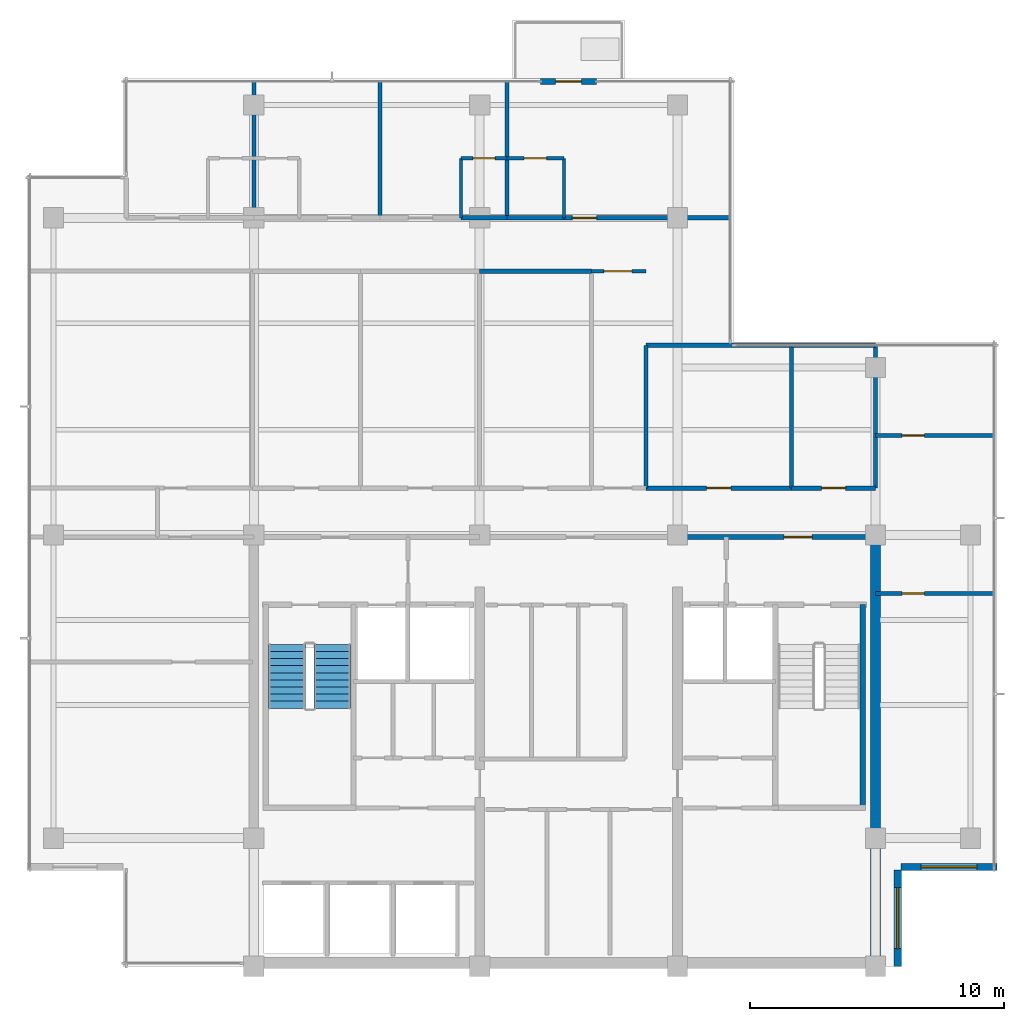
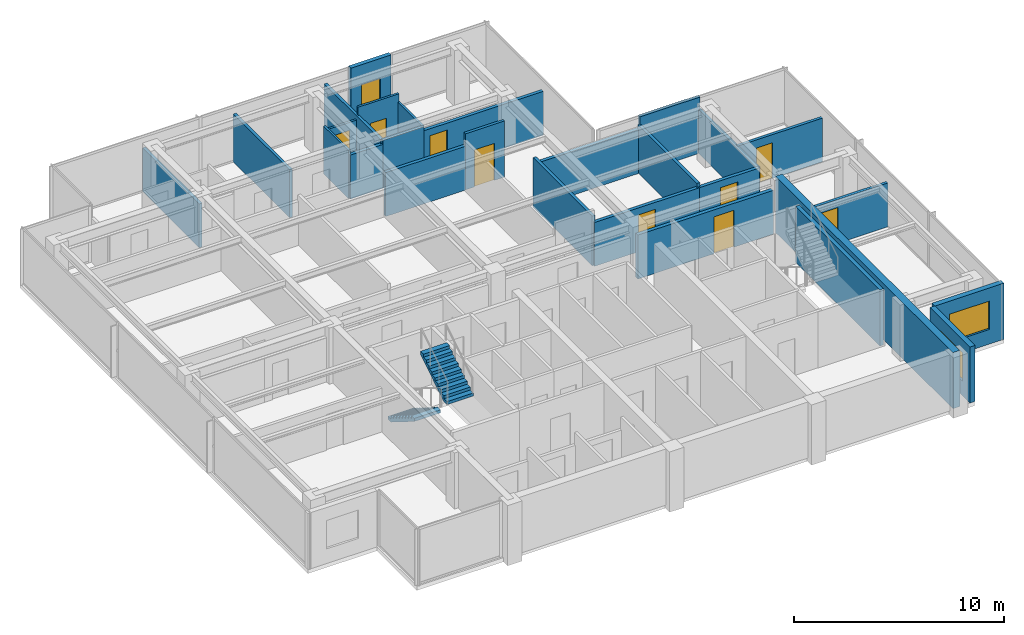
# One storey, part 8 of 12: 27 walls, 10 doors, 2 stair flights, 2 windows, 12 openings, 1 element without a shape of its own.
"""IFC4 building model written with IfcOpenShell, lengths in metres."""

from ifc_helpers import new_model, si_unit, direction, frame, frame_2d, origin, place, context, subcontext, project, spatial, polyline, rectangle, outline, extrude, material, layer, layer_set, type_object, element, fill, aggregate, save


model = new_model("IFC4")

# Units and contexts
model_context = context("Model", 3, precision=1e-05, world=origin(), true_north=direction((0.0, 1.0)))
body_context = subcontext(model_context, "Body", "Model", "MODEL_VIEW")
ifc_project = project(units=[si_unit("LENGTHUNIT", "METRE"), si_unit("AREAUNIT", "SQUARE_METRE"), si_unit("VOLUMEUNIT", "CUBIC_METRE"), si_unit("PLANEANGLEUNIT", "RADIAN"), si_unit("MASSUNIT", "GRAM", prefix="KILO")], contexts=[model_context])

# Site, building, storey
site_placement = place(None, origin())
site = spatial("IfcSite", under=ifc_project, at=site_placement, CompositionType="ELEMENT")
building_placement = place(site_placement, origin())
building = spatial("IfcBuilding", under=site, at=building_placement, Name="Qalmaran Belvedere Hotel", CompositionType="ELEMENT")
storey_placement = place(building_placement, frame((0.0, 0.0, 252.89990234375)))
storey = spatial("IfcBuildingStorey", under=building, at=storey_placement, Name="L65", CompositionType="ELEMENT", Elevation=252.89990234375)

# Wall, opening, door
ifc_material_1 = material(Name="Anodised Bronze Cladding")
ifc_layer_1 = layer(ifc_material_1, 0.22509765625, Name="Anodised Bronze Cladding")
ifc_layer_set_1 = layer_set([ifc_layer_1], Name="Anodised Bronze Cladding")
wall_type_1 = type_object("IfcWallType", Name="WL-BAL-PORT-225", PredefinedType="SOLIDWALL", material=ifc_layer_set_1)
wall_1_placement = place(storey_placement, frame((31.60009765625, 38.3798828125, 0.0), z_axis=(0.0, 0.0, 1.0), x_axis=(1.0, 0.0, 0.0)))
wall_1 = element("IfcWall", 1, at=wall_1_placement, inside=storey, type_object=wall_type_1, Name="L65 Tree Balcony Door Portal", PredefinedType="SOLIDWALL", context=body_context, shape_type="SweptSolid", body=[
    extrude(rectangle(XDim=2.199951171875, YDim=0.22509765625, at=frame_2d((1.10009765625, 0.0))), origin(), (0.0, 0.0, 1.0), 3.260009765625),
])
opening_1_placement = place(wall_1_placement, frame((0.590087890625, 0.0, 0.0)))
opening_1 = element("IfcOpeningElement", 2, at=opening_1_placement, cuts=wall_1, Name="Opening BL-102", PredefinedType="OPENING", context=body_context, shape_type="SweptSolid", body=[
    extrude(rectangle(XDim=1.02001953125, YDim=2.10009765625, at=frame_2d((0.510009765625, 1.050048828125))), frame((0.0, 0.12255859375, 0.0), z_axis=(0.0, -1.0, 0.0), x_axis=(1.0, 0.0, 0.0)), (0.0, 0.0, 1.0), 0.2451171875),
])
ifc_material_2 = material(Name="Anodised Bronze Aluminium", Category="aluminium")
door_type_1 = type_object("IfcDoorType", Name="DR-BAL-1020X2100", OperationType="NOTDEFINED", PredefinedType="DOOR", material=ifc_material_2)
door_1_placement = place(opening_1_placement, origin())
door_1 = element("IfcDoor", 3, at=door_1_placement, inside=storey, type_object=door_type_1, Name="L65 Planted Tree Balcony Door", OperationType="SINGLE_SWING_RIGHT", OverallHeight=2.10009765625, OverallWidth=1.02001953125, PredefinedType="DOOR", context=body_context, shape_type="SweptSolid", body=[
    extrude(rectangle(XDim=1.02001953125, YDim=2.10009765625, at=frame_2d((0.510009765625, 1.050048828125))), frame((0.0, 0.02490234375, 0.0), z_axis=(0.0, -1.0, 0.0), x_axis=(1.0, 0.0, 0.0)), (0.0, 0.0, 1.0), 0.050048828125),
])
fill(opening_1, door_1)

# Wall
ifc_material_3 = material(Name="Concrete C50/60", Category="concrete")
ifc_layer_2 = layer(ifc_material_3, 0.3798828125, Name="Concrete C50/60")
ifc_layer_set_2 = layer_set([ifc_layer_2], Name="Concrete C50/60")
wall_type_2 = type_object("IfcWallType", Name="WL-CORE-380-C50", PredefinedType="SHEAR", material=ifc_layer_set_2)
wall_2_placement = place(storey_placement, frame((44.800048828125, 3.5, 0.0), z_axis=(0.0, 0.0, 1.0), x_axis=(0.0, 1.0, 0.0)))
element("IfcWall", 4, at=wall_2_placement, inside=storey, type_object=wall_type_2, Name="L65 East Core Shear Wall", PredefinedType="SHEAR", context=body_context, shape_type="SweptSolid", body=[
    extrude(rectangle(XDim=16.89990234375, YDim=0.3798828125, at=frame_2d((8.449951171875, 0.0))), origin(), (0.0, 0.0, 1.0), 3.260009765625),
])

# Wall, opening, window
ifc_layer_3 = layer(ifc_material_1, 0.280029296875, Name="Anodised Bronze Cladding")
ifc_layer_set_3 = layer_set([ifc_layer_3], Name="Anodised Bronze Cladding")
wall_type_3 = type_object("IfcWallType", Name="WL-EXT-BRNZ-280", PredefinedType="SOLIDWALL", material=ifc_layer_set_3)
wall_3_placement = place(storey_placement, frame((45.679931640625, 3.5, 0.0), z_axis=(0.0, 0.0, 1.0), x_axis=(0.0, 1.0, 0.0)))
wall_3 = element("IfcWall", 5, at=wall_3_placement, inside=storey, type_object=wall_type_3, Name="L65 Corner Notch Wall 1", PredefinedType="SOLIDWALL", context=body_context, shape_type="SweptSolid", body=[
    extrude(rectangle(XDim=3.800048828125, YDim=0.280029296875, at=frame_2d((1.89990234375, 0.0))), origin(), (0.0, 0.0, 1.0), 3.260009765625),
])
opening_2_placement = place(wall_3_placement, frame((0.699951171875, 0.0, 0.85009765625)))
opening_2 = element("IfcOpeningElement", 6, at=opening_2_placement, cuts=wall_3, Name="Opening W-N24", PredefinedType="OPENING", context=body_context, shape_type="SweptSolid", body=[
    extrude(rectangle(XDim=2.39990234375, YDim=1.64990234375, at=frame_2d((1.199951171875, 0.824951171875))), frame((0.0, 0.14990234375, 0.0), z_axis=(0.0, -1.0, 0.0), x_axis=(1.0, 0.0, 0.0)), (0.0, 0.0, 1.0), 0.300048828125),
])
ifc_material_4 = material(Name="Solar-Control Double Glazing", Category="glass")
window_type_1 = type_object("IfcWindowType", Name="WN-NTC-2400X1650", PartitioningType="SINGLE_PANEL", PredefinedType="WINDOW", material=ifc_material_4)
window_1_placement = place(opening_2_placement, origin())
window_1 = element("IfcWindow", 7, at=window_1_placement, inside=storey, type_object=window_type_1, Name="L65 Corner Notch Window 1", OverallHeight=1.64990234375, OverallWidth=2.39990234375, PartitioningType="SINGLE_PANEL", PredefinedType="WINDOW", context=body_context, shape_type="SweptSolid", body=[
    extrude(rectangle(XDim=2.39990234375, YDim=1.64990234375, at=frame_2d((1.199951171875, 0.824951171875))), frame((0.0, 0.030029296875, 0.0), z_axis=(0.0, -1.0, 0.0), x_axis=(1.0, 0.0, 0.0)), (0.0, 0.0, 1.0), 0.06005859375),
])
fill(opening_2, window_1)

wall_4_placement = place(storey_placement, frame((45.800048828125, 7.419921875, 0.0), z_axis=(0.0, 0.0, 1.0), x_axis=(1.0, 0.0, 0.0)))
wall_4 = element("IfcWall", 8, at=wall_4_placement, inside=storey, type_object=wall_type_3, Name="L65 Corner Notch Wall 2", PredefinedType="SOLIDWALL", context=body_context, shape_type="SweptSolid", body=[
    extrude(rectangle(XDim=3.800048828125, YDim=0.280029296875, at=frame_2d((1.89990234375, 0.0))), origin(), (0.0, 0.0, 1.0), 3.260009765625),
])
opening_3_placement = place(wall_4_placement, frame((0.800048828125, 0.0, 0.85009765625)))
opening_3 = element("IfcOpeningElement", 9, at=opening_3_placement, cuts=wall_4, Name="Opening W-N22", PredefinedType="OPENING", context=body_context, shape_type="SweptSolid", body=[
    extrude(rectangle(XDim=2.199951171875, YDim=1.64990234375, at=frame_2d((1.10009765625, 0.824951171875))), frame((0.0, 0.14990234375, 0.0), z_axis=(0.0, -1.0, 0.0), x_axis=(1.0, 0.0, 0.0)), (0.0, 0.0, 1.0), 0.300048828125),
])
window_type_2 = type_object("IfcWindowType", Name="WN-NTC-2200X1650", PartitioningType="SINGLE_PANEL", PredefinedType="WINDOW", material=ifc_material_4)
window_2_placement = place(opening_3_placement, origin())
window_2 = element("IfcWindow", 10, at=window_2_placement, inside=storey, type_object=window_type_2, Name="L65 Corner Notch Window 2", OverallHeight=1.64990234375, OverallWidth=2.199951171875, PartitioningType="SINGLE_PANEL", PredefinedType="WINDOW", context=body_context, shape_type="SweptSolid", body=[
    extrude(rectangle(XDim=2.199951171875, YDim=1.64990234375, at=frame_2d((1.10009765625, 0.824951171875))), frame((0.0, 0.030029296875, 0.0), z_axis=(0.0, -1.0, 0.0), x_axis=(1.0, 0.0, 0.0)), (0.0, 0.0, 1.0), 0.06005859375),
])
fill(opening_3, window_2)

# Wall, opening, door
ifc_material_5 = material(Name="Moisture-Resistant Gypsum")
ifc_layer_4 = layer(ifc_material_5, 0.1201171875, Name="Moisture-Resistant Gypsum")
ifc_layer_set_4 = layer_set([ifc_layer_4], Name="Moisture-Resistant Gypsum")
wall_type_4 = type_object("IfcWallType", Name="WL-INT-120-BATH", PredefinedType="PARTITIONING", material=ifc_layer_set_4)
wall_5_placement = place(storey_placement, frame((28.47021484375, 35.35009765625, 0.0), z_axis=(0.0, 0.0, 1.0), x_axis=(1.0, 0.0, 0.0)))
wall_5 = element("IfcWall", 11, at=wall_5_placement, inside=storey, type_object=wall_type_4, Name="L65 Partition WL-L65-NBN02", PredefinedType="PARTITIONING", context=body_context, shape_type="SweptSolid", body=[
    extrude(rectangle(XDim=1.800048828125, YDim=0.1201171875, at=frame_2d((0.89990234375, 0.0))), origin(), (0.0, 0.0, 1.0), 2.550048828125),
])
opening_4_placement = place(wall_5_placement, frame((1.33984375, 0.0, 0.0), z_axis=(0.0, 0.0, 1.0), x_axis=(-1.0, 0.0, 0.0)))
opening_4 = element("IfcOpeningElement", 12, at=opening_4_placement, cuts=wall_5, Name="Opening D-BATH", PredefinedType="OPENING", context=body_context, shape_type="SweptSolid", body=[
    extrude(rectangle(XDim=0.8798828125, YDim=2.080078125, at=frame_2d((0.43994140625, 1.0400390625))), frame((0.0, 0.070068359375, 0.0), z_axis=(0.0, -1.0, 0.0), x_axis=(1.0, 0.0, 0.0)), (0.0, 0.0, 1.0), 0.14013671875),
])
ifc_material_6 = material(Name="Engineered Oak Veneer")
door_type_2 = type_object("IfcDoorType", Name="DR-INT-BATH-880X2080", OperationType="NOTDEFINED", PredefinedType="DOOR", material=ifc_material_6)
door_2_placement = place(opening_4_placement, origin())
door_2 = element("IfcDoor", 13, at=door_2_placement, inside=storey, type_object=door_type_2, Name="L65 Ensuite Bathroom Door N03", OperationType="SINGLE_SWING_RIGHT", OverallHeight=2.080078125, OverallWidth=0.8798828125, PredefinedType="DOOR", context=body_context, shape_type="SweptSolid", body=[
    extrude(rectangle(XDim=0.8798828125, YDim=2.080078125, at=frame_2d((0.43994140625, 1.0400390625))), frame((0.0, 0.02490234375, 0.0), z_axis=(0.0, -1.0, 0.0), x_axis=(1.0, 0.0, 0.0)), (0.0, 0.0, 1.0), 0.050048828125),
])
fill(opening_4, door_2)

# Wall
wall_6_placement = place(storey_placement, frame((28.47021484375, 33.0, 0.0), z_axis=(0.0, 0.0, 1.0), x_axis=(0.0, 1.0, 0.0)))
element("IfcWall", 14, at=wall_6_placement, inside=storey, type_object=wall_type_4, Name="L65 Partition WL-L65-NBS02", PredefinedType="PARTITIONING", context=body_context, shape_type="SweptSolid", body=[
    extrude(rectangle(XDim=2.35009765625, YDim=0.1201171875, at=frame_2d((1.175048828125, 0.0))), origin(), (0.0, 0.0, 1.0), 2.781982421875),
])

# Wall, opening, door
wall_7_placement = place(storey_placement, frame((30.270263671875, 35.35009765625, 0.0), z_axis=(0.0, 0.0, 1.0), x_axis=(1.0, 0.0, 0.0)))
wall_7 = element("IfcWall", 15, at=wall_7_placement, inside=storey, type_object=wall_type_4, Name="L65 Partition WL-L65-NBN03", PredefinedType="PARTITIONING", context=body_context, shape_type="SweptSolid", body=[
    extrude(rectangle(XDim=2.25, YDim=0.1201171875, at=frame_2d((1.125, 0.0))), origin(), (0.0, 0.0, 1.0), 3.260009765625),
])
opening_5_placement = place(wall_7_placement, frame((1.56494140625, 0.0, 0.0), z_axis=(0.0, 0.0, 1.0), x_axis=(-1.0, 0.0, 0.0)))
opening_5 = element("IfcOpeningElement", 16, at=opening_5_placement, cuts=wall_7, Name="Opening D-BATH", PredefinedType="OPENING", context=body_context, shape_type="SweptSolid", body=[
    extrude(rectangle(XDim=0.8798828125, YDim=2.080078125, at=frame_2d((0.43994140625, 1.0400390625))), frame((0.0, 0.070068359375, 0.0), z_axis=(0.0, -1.0, 0.0), x_axis=(1.0, 0.0, 0.0)), (0.0, 0.0, 1.0), 0.14013671875),
])
door_3_placement = place(opening_5_placement, origin())
door_3 = element("IfcDoor", 17, at=door_3_placement, inside=storey, type_object=door_type_2, Name="L65 Ensuite Bathroom Door N04", OperationType="SINGLE_SWING_RIGHT", OverallHeight=2.080078125, OverallWidth=0.8798828125, PredefinedType="DOOR", context=body_context, shape_type="SweptSolid", body=[
    extrude(rectangle(XDim=0.8798828125, YDim=2.080078125, at=frame_2d((0.43994140625, 1.0400390625))), frame((0.0, 0.02490234375, 0.0), z_axis=(0.0, -1.0, 0.0), x_axis=(1.0, 0.0, 0.0)), (0.0, 0.0, 1.0), 0.050048828125),
])
fill(opening_5, door_3)

# Wall
wall_8_placement = place(storey_placement, frame((32.520263671875, 33.0, 0.0), z_axis=(0.0, 0.0, 1.0), x_axis=(0.0, 1.0, 0.0)))
element("IfcWall", 18, at=wall_8_placement, inside=storey, type_object=wall_type_4, Name="L65 Partition WL-L65-NBS03", PredefinedType="PARTITIONING", context=body_context, shape_type="SweptSolid", body=[
    extrude(rectangle(XDim=2.35009765625, YDim=0.1201171875, at=frame_2d((1.175048828125, 0.0))), origin(), (0.0, 0.0, 1.0), 2.781982421875),
])

# Wall, opening, door
ifc_material_7 = material(Name="Gypsum Stud Partition")
ifc_layer_5 = layer(ifc_material_7, 0.14990234375, Name="Gypsum Stud Partition")
ifc_layer_set_5 = layer_set([ifc_layer_5], Name="Gypsum Stud Partition")
wall_type_5 = type_object("IfcWallType", Name="WL-INT-150-EI60", PredefinedType="PARTITIONING", material=ifc_layer_set_5)
wall_9_placement = place(storey_placement, frame((33.60009765625, 30.89990234375, 0.0), z_axis=(0.0, 0.0, 1.0), x_axis=(1.0, 0.0, 0.0)))
wall_9 = element("IfcWall", 19, at=wall_9_placement, inside=storey, type_object=wall_type_5, Name="L65 Partition WL-L65-XCLN", PredefinedType="PARTITIONING", context=body_context, shape_type="SweptSolid", body=[
    extrude(rectangle(XDim=2.14990234375, YDim=0.14990234375, at=frame_2d((1.074951171875, 0.0))), origin(), (0.0, 0.0, 1.0), 3.260009765625),
])
opening_6_placement = place(wall_9_placement, frame((0.5, 0.0, 0.0)))
opening_6 = element("IfcOpeningElement", 20, at=opening_6_placement, cuts=wall_9, Name="Opening FD90", PredefinedType="OPENING", context=body_context, shape_type="SweptSolid", body=[
    extrude(rectangle(XDim=1.10009765625, YDim=2.14990234375, at=frame_2d((0.550048828125, 1.074951171875))), frame((0.0, 0.0849609375, 0.0), z_axis=(0.0, -1.0, 0.0), x_axis=(1.0, 0.0, 0.0)), (0.0, 0.0, 1.0), 0.169921875),
])
ifc_material_8 = material(Name="Steel S355JR", Category="steel")
door_type_3 = type_object("IfcDoorType", Name="DR-FD90-1100X2150", OperationType="NOTDEFINED", PredefinedType="DOOR", material=ifc_material_8)
door_4_placement = place(opening_6_placement, origin())
door_4 = element("IfcDoor", 21, at=door_4_placement, inside=storey, type_object=door_type_3, Name="L65 Sky Link North Door", OperationType="SINGLE_SWING_LEFT", OverallHeight=2.14990234375, OverallWidth=1.10009765625, PredefinedType="DOOR", context=body_context, shape_type="SweptSolid", body=[
    extrude(rectangle(XDim=1.10009765625, YDim=2.14990234375, at=frame_2d((0.550048828125, 1.074951171875))), frame((0.0, 0.02490234375, 0.0), z_axis=(0.0, -1.0, 0.0), x_axis=(1.0, 0.0, 0.0)), (0.0, 0.0, 1.0), 0.050048828125),
])
fill(opening_6, door_4)

ifc_layer_6 = layer(ifc_material_7, 0.159912109375, Name="Gypsum Stud Partition")
ifc_layer_set_6 = layer_set([ifc_layer_6], Name="Gypsum Stud Partition")
wall_type_6 = type_object("IfcWallType", Name="WL-INT-160-EI60", PredefinedType="PARTITIONING", material=ifc_layer_set_6)
wall_10_placement = place(storey_placement, frame((44.800048828125, 18.199951171875, 0.0), z_axis=(0.0, 0.0, 1.0), x_axis=(1.0, 0.0, 0.0)))
wall_10 = element("IfcWall", 22, at=wall_10_placement, inside=storey, type_object=wall_type_6, Name="L65 Partition WL-L65-C4EES", PredefinedType="PARTITIONING", context=body_context, shape_type="SweptSolid", body=[
    extrude(rectangle(XDim=4.679931640625, YDim=0.159912109375, at=frame_2d((2.33984375, 0.0))), origin(), (0.0, 0.0, 1.0), 2.550048828125),
])
opening_7_placement = place(wall_10_placement, frame((1.929931640625, 0.0, 0.0), z_axis=(0.0, 0.0, 1.0), x_axis=(-1.0, 0.0, 0.0)))
opening_7 = element("IfcOpeningElement", 23, at=opening_7_placement, cuts=wall_10, Name="Opening FD60B", PredefinedType="OPENING", context=body_context, shape_type="SweptSolid", body=[
    extrude(rectangle(XDim=0.8798828125, YDim=2.080078125, at=frame_2d((0.43994140625, 1.0400390625))), frame((0.0, 0.08984375, 0.0), z_axis=(0.0, -1.0, 0.0), x_axis=(1.0, 0.0, 0.0)), (0.0, 0.0, 1.0), 0.179931640625),
])
door_type_4 = type_object("IfcDoorType", Name="DR-FD60B-880X2080", OperationType="NOTDEFINED", PredefinedType="DOOR", material=ifc_material_8)
door_5_placement = place(opening_7_placement, origin())
door_5 = element("IfcDoor", 24, at=door_5_placement, inside=storey, type_object=door_type_4, Name="L65 East Reading Door", OperationType="SINGLE_SWING_LEFT", OverallHeight=2.080078125, OverallWidth=0.8798828125, PredefinedType="DOOR", context=body_context, shape_type="SweptSolid", body=[
    extrude(rectangle(XDim=0.8798828125, YDim=2.080078125, at=frame_2d((0.43994140625, 1.0400390625))), frame((0.0, 0.02490234375, 0.0), z_axis=(0.0, -1.0, 0.0), x_axis=(1.0, 0.0, 0.0)), (0.0, 0.0, 1.0), 0.050048828125),
])
fill(opening_7, door_5)

wall_11_placement = place(storey_placement, frame((44.800048828125, 24.419921875, 0.0), z_axis=(0.0, 0.0, 1.0), x_axis=(1.0, 0.0, 0.0)))
wall_11 = element("IfcWall", 25, at=wall_11_placement, inside=storey, type_object=wall_type_6, Name="L65 Partition WL-L65-C4EEN", PredefinedType="PARTITIONING", context=body_context, shape_type="SweptSolid", body=[
    extrude(rectangle(XDim=4.679931640625, YDim=0.159912109375, at=frame_2d((2.33984375, 0.0))), origin(), (0.0, 0.0, 1.0), 2.550048828125),
])
opening_8_placement = place(wall_11_placement, frame((1.050048828125, 0.0, 0.0)))
opening_8 = element("IfcOpeningElement", 26, at=opening_8_placement, cuts=wall_11, Name="Opening FD60B", PredefinedType="OPENING", context=body_context, shape_type="SweptSolid", body=[
    extrude(rectangle(XDim=0.8798828125, YDim=2.080078125, at=frame_2d((0.43994140625, 1.0400390625))), frame((0.0, 0.08984375, 0.0), z_axis=(0.0, -1.0, 0.0), x_axis=(1.0, 0.0, 0.0)), (0.0, 0.0, 1.0), 0.179931640625),
])
door_6_placement = place(opening_8_placement, origin())
door_6 = element("IfcDoor", 27, at=door_6_placement, inside=storey, type_object=door_type_4, Name="L65 East Study Door", OperationType="SINGLE_SWING_RIGHT", OverallHeight=2.080078125, OverallWidth=0.8798828125, PredefinedType="DOOR", context=body_context, shape_type="SweptSolid", body=[
    extrude(rectangle(XDim=0.8798828125, YDim=2.080078125, at=frame_2d((0.43994140625, 1.0400390625))), frame((0.0, 0.02490234375, 0.0), z_axis=(0.0, -1.0, 0.0), x_axis=(1.0, 0.0, 0.0)), (0.0, 0.0, 1.0), 0.050048828125),
])
fill(opening_8, door_6)

# Walls
wall_12_placement = place(storey_placement, frame((35.75, 22.35009765625, 0.0), z_axis=(0.0, 0.0, 1.0), x_axis=(0.0, 1.0, 0.0)))
element("IfcWall", 28, at=wall_12_placement, inside=storey, type_object=wall_type_6, Name="L65 Partition WL-L65-C4MEVL", PredefinedType="PARTITIONING", context=body_context, shape_type="SweptSolid", body=[
    extrude(rectangle(XDim=5.6298828125, YDim=0.159912109375, at=frame_2d((2.81494140625, 0.0))), origin(), (0.0, 0.0, 1.0), 2.88720703125),
])
wall_13_placement = place(storey_placement, frame((41.5, 22.35009765625, 0.0), z_axis=(0.0, 0.0, 1.0), x_axis=(0.0, 1.0, 0.0)))
element("IfcWall", 29, at=wall_13_placement, inside=storey, type_object=wall_type_6, Name="L65 Partition WL-L65-C4MEVR1", PredefinedType="PARTITIONING", context=body_context, shape_type="SweptSolid", body=[
    extrude(rectangle(XDim=5.6298828125, YDim=0.159912109375, at=frame_2d((2.81494140625, 0.0))), origin(), (0.0, 0.0, 1.0), 2.781982421875),
])
wall_14_placement = place(storey_placement, frame((44.800048828125, 22.35009765625, 0.0), z_axis=(0.0, 0.0, 1.0), x_axis=(0.0, 1.0, 0.0)))
element("IfcWall", 30, at=wall_14_placement, inside=storey, type_object=wall_type_6, Name="L65 Partition WL-L65-C4MEVR2", PredefinedType="PARTITIONING", context=body_context, shape_type="SweptSolid", body=[
    extrude(rectangle(XDim=5.6298828125, YDim=0.159912109375, at=frame_2d((2.81494140625, 0.0))), origin(), (0.0, 0.0, 1.0), 2.550048828125),
])
wall_15_placement = place(storey_placement, frame((20.300048828125, 33.0, 0.0), z_axis=(0.0, 0.0, 1.0), x_axis=(0.0, 1.0, 0.0)))
element("IfcWall", 31, at=wall_15_placement, inside=storey, type_object=wall_type_6, Name="L65 Partition WL-L65-NUR00", PredefinedType="PARTITIONING", context=body_context, shape_type="SweptSolid", body=[
    extrude(rectangle(XDim=5.3798828125, YDim=0.159912109375, at=frame_2d((2.68994140625, 0.0))), origin(), (0.0, 0.0, 1.0), 2.550048828125),
])
for number, where, z_axis, x_axis, name in (
    (32, (25.270263671875, 33.0, 0.0), (0.0, 0.0, 1.0), (0.0, 1.0, 0.0), "L65 Partition WL-L65-NUR01"),
    (33, (30.270263671875, 33.0, 0.0), (0.0, 0.0, 1.0), (0.0, 1.0, 0.0), "L65 Partition WL-L65-NUR02"),
):
    element("IfcWall", number, at=place(storey_placement, frame(where, z_axis=z_axis, x_axis=x_axis)), inside=storey, type_object=wall_type_6, Name=name, PredefinedType="PARTITIONING", context=body_context, shape_type="SweptSolid", body=[
        extrude(rectangle(XDim=5.3798828125, YDim=0.159912109375, at=frame_2d((2.68994140625, 0.0))), origin(), (0.0, 0.0, 1.0), 2.781982421875),
    ])
ifc_layer_7 = layer(ifc_material_7, 0.179931640625, Name="Gypsum Stud Partition")
ifc_layer_set_7 = layer_set([ifc_layer_7], Name="Gypsum Stud Partition")
wall_type_7 = type_object("IfcWallType", Name="WL-INT-180-EI60", PredefinedType="PARTITIONING", material=ifc_layer_set_7)
wall_16_placement = place(storey_placement, frame((29.199951171875, 30.89990234375, 0.0), z_axis=(0.0, 0.0, 1.0), x_axis=(1.0, 0.0, 0.0)))
element("IfcWall", 34, at=wall_16_placement, inside=storey, type_object=wall_type_7, Name="L65 Partition WL-L65-C4MWO3", PredefinedType="PARTITIONING", context=body_context, shape_type="SweptSolid", body=[
    extrude(rectangle(XDim=4.400146484375, YDim=0.179931640625, at=frame_2d((2.2001953125, 0.0))), origin(), (0.0, 0.0, 1.0), 2.550048828125),
])

# Wall, opening, door
wall_17_placement = place(storey_placement, frame((35.75, 22.35009765625, 0.0), z_axis=(0.0, 0.0, 1.0), x_axis=(1.0, 0.0, 0.0)))
wall_17 = element("IfcWall", 35, at=wall_17_placement, inside=storey, type_object=wall_type_7, Name="L65 Partition WL-L65-C4MED1", PredefinedType="PARTITIONING", context=body_context, shape_type="SweptSolid", body=[
    extrude(rectangle(XDim=5.75, YDim=0.179931640625, at=frame_2d((2.875, 0.0))), origin(), (0.0, 0.0, 1.0), 2.550048828125),
])
opening_9_placement = place(wall_17_placement, frame((2.39990234375, 0.0, 0.0)))
opening_9 = element("IfcOpeningElement", 36, at=opening_9_placement, cuts=wall_17, Name="Opening FD60", PredefinedType="OPENING", context=body_context, shape_type="SweptSolid", body=[
    extrude(rectangle(XDim=0.949951171875, YDim=2.14990234375, at=frame_2d((0.47509765625, 1.074951171875))), frame((0.0, 0.10009765625, 0.0), z_axis=(0.0, -1.0, 0.0), x_axis=(1.0, 0.0, 0.0)), (0.0, 0.0, 1.0), 0.199951171875),
])
door_type_5 = type_object("IfcDoorType", Name="DR-FD60-950X2150", OperationType="NOTDEFINED", PredefinedType="DOOR", material=ifc_material_6)
door_7_placement = place(opening_9_placement, origin())
door_7 = element("IfcDoor", 37, at=door_7_placement, inside=storey, type_object=door_type_5, Name="L65 Tea Pantry Door", OperationType="SINGLE_SWING_RIGHT", OverallHeight=2.14990234375, OverallWidth=0.949951171875, PredefinedType="DOOR", context=body_context, shape_type="SweptSolid", body=[
    extrude(rectangle(XDim=0.949951171875, YDim=2.14990234375, at=frame_2d((0.47509765625, 1.074951171875))), frame((0.0, 0.02490234375, 0.0), z_axis=(0.0, -1.0, 0.0), x_axis=(1.0, 0.0, 0.0)), (0.0, 0.0, 1.0), 0.050048828125),
])
fill(opening_9, door_7)

# Wall
wall_18_placement = place(storey_placement, frame((35.75, 27.97998046875, 0.0), z_axis=(0.0, 0.0, 1.0), x_axis=(1.0, 0.0, 0.0)))
element("IfcWall", 38, at=wall_18_placement, inside=storey, type_object=wall_type_7, Name="L65 Partition WL-L65-C4MEO1", PredefinedType="PARTITIONING", context=body_context, shape_type="SweptSolid", body=[
    extrude(rectangle(XDim=5.75, YDim=0.179931640625, at=frame_2d((2.875, 0.0))), origin(), (0.0, 0.0, 1.0), 2.550048828125),
])

# Wall, opening, door
wall_19_placement = place(storey_placement, frame((41.5, 22.35009765625, 0.0), z_axis=(0.0, 0.0, 1.0), x_axis=(1.0, 0.0, 0.0)))
wall_19 = element("IfcWall", 39, at=wall_19_placement, inside=storey, type_object=wall_type_7, Name="L65 Partition WL-L65-C4MED2", PredefinedType="PARTITIONING", context=body_context, shape_type="SweptSolid", body=[
    extrude(rectangle(XDim=3.300048828125, YDim=0.179931640625, at=frame_2d((1.64990234375, 0.0))), origin(), (0.0, 0.0, 1.0), 2.550048828125),
])
opening_10_placement = place(wall_19_placement, frame((1.175048828125, 0.0, 0.0)))
opening_10 = element("IfcOpeningElement", 40, at=opening_10_placement, cuts=wall_19, Name="Opening FD60", PredefinedType="OPENING", context=body_context, shape_type="SweptSolid", body=[
    extrude(rectangle(XDim=0.949951171875, YDim=2.14990234375, at=frame_2d((0.47509765625, 1.074951171875))), frame((0.0, 0.10009765625, 0.0), z_axis=(0.0, -1.0, 0.0), x_axis=(1.0, 0.0, 0.0)), (0.0, 0.0, 1.0), 0.199951171875),
])
door_8_placement = place(opening_10_placement, origin())
door_8 = element("IfcDoor", 41, at=door_8_placement, inside=storey, type_object=door_type_5, Name="L65 Sommelier Pantry Door", OperationType="SINGLE_SWING_LEFT", OverallHeight=2.14990234375, OverallWidth=0.949951171875, PredefinedType="DOOR", context=body_context, shape_type="SweptSolid", body=[
    extrude(rectangle(XDim=0.949951171875, YDim=2.14990234375, at=frame_2d((0.47509765625, 1.074951171875))), frame((0.0, 0.02490234375, 0.0), z_axis=(0.0, -1.0, 0.0), x_axis=(1.0, 0.0, 0.0)), (0.0, 0.0, 1.0), 0.050048828125),
])
fill(opening_10, door_8)

# Walls
wall_20_placement = place(storey_placement, frame((41.5, 27.97998046875, 0.0), z_axis=(0.0, 0.0, 1.0), x_axis=(1.0, 0.0, 0.0)))
element("IfcWall", 42, at=wall_20_placement, inside=storey, type_object=wall_type_7, Name="L65 Partition WL-L65-C4MEO2", PredefinedType="PARTITIONING", context=body_context, shape_type="SweptSolid", body=[
    extrude(rectangle(XDim=3.300048828125, YDim=0.179931640625, at=frame_2d((1.64990234375, 0.0))), origin(), (0.0, 0.0, 1.0), 3.260009765625),
])
wall_21_placement = place(storey_placement, frame((28.47021484375, 33.0, 0.0), z_axis=(0.0, 0.0, 1.0), x_axis=(1.0, 0.0, 0.0)))
element("IfcWall", 43, at=wall_21_placement, inside=storey, type_object=wall_type_7, Name="L65 Partition WL-L65-NBC02", PredefinedType="PARTITIONING", context=body_context, shape_type="SweptSolid", body=[
    extrude(rectangle(XDim=1.800048828125, YDim=0.179931640625, at=frame_2d((0.89990234375, 0.0))), origin(), (0.0, 0.0, 1.0), 2.550048828125),
])
wall_22_placement = place(storey_placement, frame((30.270263671875, 33.0, 0.0), z_axis=(0.0, 0.0, 1.0), x_axis=(1.0, 0.0, 0.0)))
element("IfcWall", 44, at=wall_22_placement, inside=storey, type_object=wall_type_7, Name="L65 Partition WL-L65-NBC03", PredefinedType="PARTITIONING", context=body_context, shape_type="SweptSolid", body=[
    extrude(rectangle(XDim=2.25, YDim=0.179931640625, at=frame_2d((1.125, 0.0))), origin(), (0.0, 0.0, 1.0), 2.781982421875),
])

# Wall, opening, door
wall_23_placement = place(storey_placement, frame((32.520263671875, 33.0, 0.0), z_axis=(0.0, 0.0, 1.0), x_axis=(1.0, 0.0, 0.0)))
wall_23 = element("IfcWall", 45, at=wall_23_placement, inside=storey, type_object=wall_type_7, Name="L65 Partition WL-L65-NEC03", PredefinedType="PARTITIONING", context=body_context, shape_type="SweptSolid", body=[
    extrude(rectangle(XDim=6.559814453125, YDim=0.179931640625, at=frame_2d((3.27978515625, 0.0))), origin(), (0.0, 0.0, 1.0), 2.550048828125),
])
opening_11_placement = place(wall_23_placement, frame((0.33740234375, 0.0, 0.0)))
opening_11 = element("IfcOpeningElement", 46, at=opening_11_placement, cuts=wall_23, Name="Opening FD60", PredefinedType="OPENING", context=body_context, shape_type="SweptSolid", body=[
    extrude(rectangle(XDim=0.949951171875, YDim=2.14990234375, at=frame_2d((0.47509765625, 1.074951171875))), frame((0.0, 0.10009765625, 0.0), z_axis=(0.0, -1.0, 0.0), x_axis=(1.0, 0.0, 0.0)), (0.0, 0.0, 1.0), 0.199951171875),
])
door_9_placement = place(opening_11_placement, origin())
door_9 = element("IfcDoor", 47, at=door_9_placement, inside=storey, type_object=door_type_5, Name="L65 Guest Entrance Door N04", OperationType="SINGLE_SWING_LEFT", OverallHeight=2.14990234375, OverallWidth=0.949951171875, PredefinedType="DOOR", context=body_context, shape_type="SweptSolid", body=[
    extrude(rectangle(XDim=0.949951171875, YDim=2.14990234375, at=frame_2d((0.47509765625, 1.074951171875))), frame((0.0, 0.02490234375, 0.0), z_axis=(0.0, -1.0, 0.0), x_axis=(1.0, 0.0, 0.0)), (0.0, 0.0, 1.0), 0.050048828125),
])
fill(opening_11, door_9)

ifc_material_9 = material(Name="Concrete C30/37 Blockwork", Category="masonry")
ifc_layer_8 = layer(ifc_material_9, 0.199951171875, Name="Concrete C30/37 Blockwork")
ifc_layer_set_8 = layer_set([ifc_layer_8], Name="Concrete C30/37 Blockwork")
wall_type_8 = type_object("IfcWallType", Name="WL-INT-200-EI120", PredefinedType="PARTITIONING", material=ifc_layer_set_8)
wall_24_placement = place(storey_placement, frame((37.0, 20.419921875, 0.0), z_axis=(0.0, 0.0, 1.0), x_axis=(1.0, 0.0, 0.0)))
wall_24 = element("IfcWall", 48, at=wall_24_placement, inside=storey, type_object=wall_type_8, Name="L65 Partition WL-CN3-L65", PredefinedType="PARTITIONING", context=body_context, shape_type="SweptSolid", body=[
    extrude(rectangle(XDim=7.449951171875, YDim=0.199951171875, at=frame_2d((3.72509765625, 0.0))), origin(), (0.0, 0.0, 1.0), 2.550048828125),
])
opening_12_placement = place(wall_24_placement, frame((4.199951171875, 0.0, 0.0)))
opening_12 = element("IfcOpeningElement", 49, at=opening_12_placement, cuts=wall_24, Name="Opening FD90", PredefinedType="OPENING", context=body_context, shape_type="SweptSolid", body=[
    extrude(rectangle(XDim=1.10009765625, YDim=2.14990234375, at=frame_2d((0.550048828125, 1.074951171875))), frame((0.0, 0.10986328125, 0.0), z_axis=(0.0, -1.0, 0.0), x_axis=(1.0, 0.0, 0.0)), (0.0, 0.0, 1.0), 0.219970703125),
])
door_10_placement = place(opening_12_placement, origin())
door_10 = element("IfcDoor", 50, at=door_10_placement, inside=storey, type_object=door_type_3, Name="L65 FF2 Lobby Corridor Door", OperationType="SINGLE_SWING_LEFT", OverallHeight=2.14990234375, OverallWidth=1.10009765625, PredefinedType="DOOR", context=body_context, shape_type="SweptSolid", body=[
    extrude(rectangle(XDim=1.10009765625, YDim=2.14990234375, at=frame_2d((0.550048828125, 1.074951171875))), frame((0.0, 0.02490234375, 0.0), z_axis=(0.0, -1.0, 0.0), x_axis=(1.0, 0.0, 0.0)), (0.0, 0.0, 1.0), 0.050048828125),
])
fill(opening_12, door_10)

# Wall
ifc_layer_9 = layer(ifc_material_3, 0.2099609375, Name="Concrete C50/60")
ifc_layer_set_9 = layer_set([ifc_layer_9], Name="Concrete C50/60")
wall_type_9 = type_object("IfcWallType", Name="WL-STAIR-210-C50", PredefinedType="SHEAR", material=ifc_layer_set_9)
wall_25_placement = place(storey_placement, frame((44.304931640625, 9.7451171875, 0.0), z_axis=(0.0, 0.0, 1.0), x_axis=(0.0, 1.0, 0.0)))
element("IfcWall", 51, at=wall_25_placement, inside=storey, type_object=wall_type_9, Name="L65 Stair ST-2 East Bearing Wall", PredefinedType="SHEAR", context=body_context, shape_type="SweptSolid", body=[
    extrude(rectangle(XDim=8.009765625, YDim=0.2099609375, at=frame_2d((4.0048828125, 0.0))), origin(), (0.0, 0.0, 1.0), 3.260009765625),
])

# Stair, stair flights
ifc_material_10 = material(Name="Concrete C40/50", Category="concrete")
stair_type = type_object("IfcStairType", Name="STR-ST-1-1450-R1750", PredefinedType="HALF_TURN_STAIR", material=ifc_material_10)
stair_placement = place(storey_placement, origin())
stair = element("IfcStair", 52, at=stair_placement, inside=storey, type_object=stair_type, Name="L65 West Core Exit Stair ST-1", PredefinedType="HALF_TURN_STAIR")
ifc_layer_10 = layer(ifc_material_10, 0.14990234375, Name="Concrete C40/50")
ifc_layer_set_10 = layer_set([ifc_layer_10], Name="Concrete C40/50")
stair_flight_type = type_object("IfcStairFlightType", Name="STF-ST-1-1450-R1750", PredefinedType="STRAIGHT", material=ifc_layer_set_10)
stair_flight_1_placement = place(storey_placement, frame((21.60498046875, 16.18994140625, 0.0), z_axis=(0.0, 0.0, 1.0), x_axis=(0.0, -1.0, 0.0)))
stair_flight_1 = element("IfcStairFlight", 53, at=stair_flight_1_placement, type_object=stair_flight_type, Name="ST-1 flight 1", NumberOfRisers=10, NumberOfTreads=9, PredefinedType="STRAIGHT", RiserHeight=0.175, TreadLength=0.28, context=body_context, shape_type="SweptSolid", body=[
    extrude(outline(polyline([(0.0, 0.0), (0.0, 0.175048828125), (0.280029296875, 0.175048828125), (0.280029296875, 0.35009765625), (0.56005859375, 0.35009765625), (0.56005859375, 0.52490234375), (0.840087890625, 0.52490234375), (0.840087890625, 0.699951171875), (1.1201171875, 0.699951171875), (1.1201171875, 0.875), (1.39990234375, 0.875), (1.39990234375, 1.050048828125), (1.679931640625, 1.050048828125), (1.679931640625, 1.22509765625), (1.9599609375, 1.22509765625), (1.9599609375, 1.39990234375), (2.239990234375, 1.39990234375), (2.239990234375, 1.574951171875), (2.52001953125, 1.574951171875), (2.52001953125, 1.75), (2.52001953125, 1.398193359375), (0.28271484375, 0.0), (0.0, 0.0)])), frame((0.0, 0.72509765625, 0.0), z_axis=(0.0, -1.0, 0.0), x_axis=(1.0, 0.0, 0.0)), (0.0, 0.0, 1.0), 1.449951171875),
])
stair_flight_2_placement = place(storey_placement, frame((23.39501953125, 13.669921875, 1.75), z_axis=(0.0, 0.0, 1.0), x_axis=(0.0, 1.0, 0.0)))
stair_flight_2 = element("IfcStairFlight", 54, at=stair_flight_2_placement, type_object=stair_flight_type, Name="ST-1 flight 2", NumberOfRisers=10, NumberOfTreads=9, PredefinedType="STRAIGHT", RiserHeight=0.175, TreadLength=0.28, context=body_context, shape_type="SweptSolid", body=[
    extrude(outline(polyline([(0.0, 0.0), (0.0, 0.175048828125), (0.280029296875, 0.175048828125), (0.280029296875, 0.35009765625), (0.56005859375, 0.35009765625), (0.56005859375, 0.52490234375), (0.840087890625, 0.52490234375), (0.840087890625, 0.699951171875), (1.1201171875, 0.699951171875), (1.1201171875, 0.875), (1.39990234375, 0.875), (1.39990234375, 1.050048828125), (1.679931640625, 1.050048828125), (1.679931640625, 1.22509765625), (1.9599609375, 1.22509765625), (1.9599609375, 1.39990234375), (2.239990234375, 1.39990234375), (2.239990234375, 1.574951171875), (2.52001953125, 1.574951171875), (2.52001953125, 1.75), (2.52001953125, 1.398193359375), (0.28271484375, 0.0), (0.0, 0.0)])), frame((0.0, 0.72509765625, 0.0), z_axis=(0.0, -1.0, 0.0), x_axis=(1.0, 0.0, 0.0)), (0.0, 0.0, 1.0), 1.449951171875),
])
aggregate(stair, [stair_flight_1, stair_flight_2])

save(model, "model.ifc")
